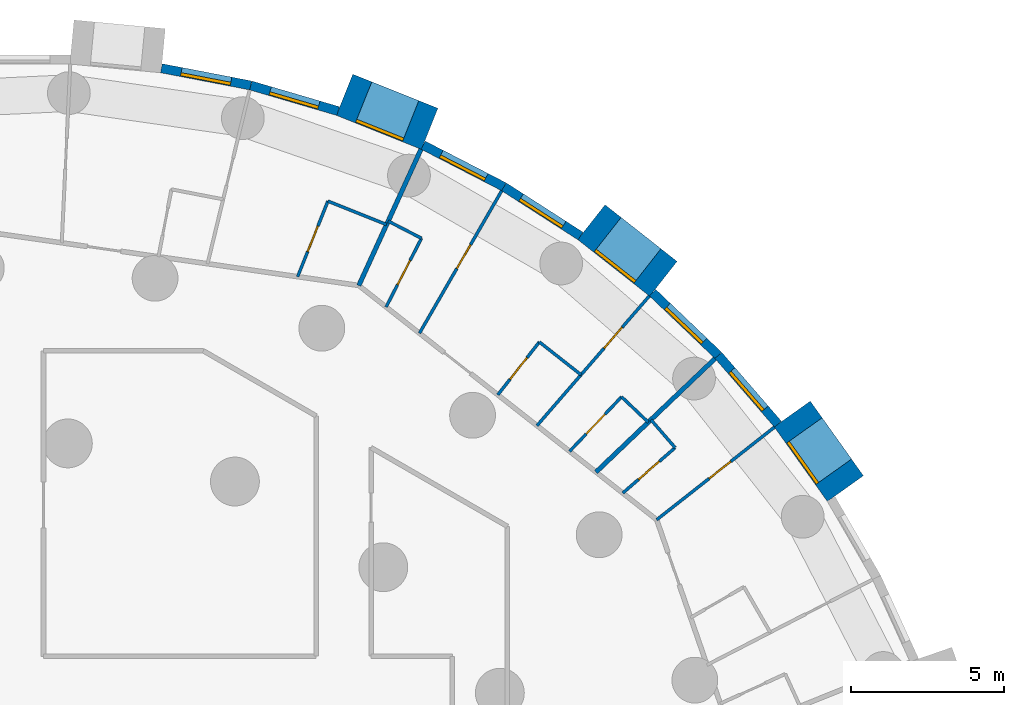
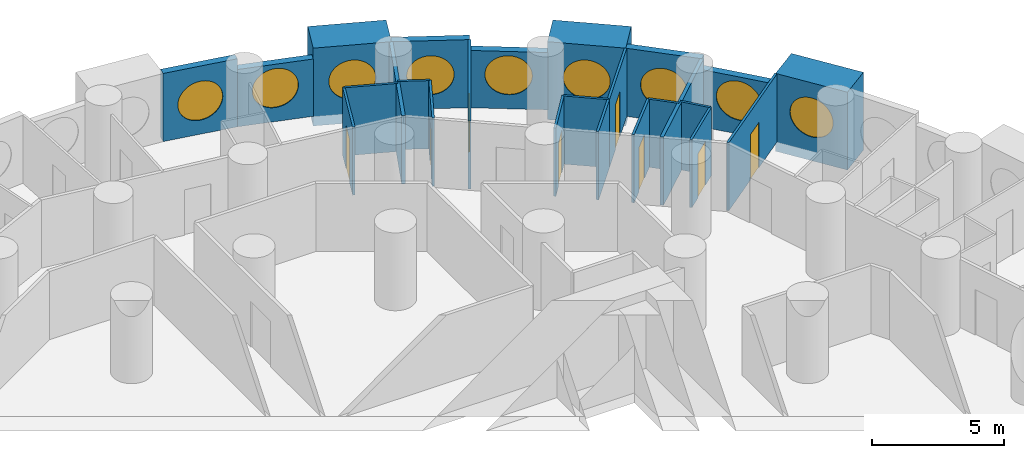
# One storey, part 10 of 12: 25 walls, 9 windows, 8 doors, 17 openings.
"""IFC4 building model written with IfcOpenShell, lengths in metres."""

import ifcopenshell
import ifcopenshell.guid

model = None  # the IFC model being written
_history = None  # IfcOwnerHistory: only IFC2X3 demands one
_inside = {}  # id of a spatial element -> (the spatial element, [elements in it])
_under = {}  # id of a project, library or spatial element -> (it, [spatial elements below it])
_declared = {}  # id of a project -> (the project, [libraries it declares])
_typed = {}  # id of a type object -> (the type object, [elements of that type])
_made_of = {}  # id of a material, layer set ... -> (it, [elements and type objects made of it])


def new_model(schema):
    """Start an empty IFC model of exactly this schema.

    Asked for "IFC4X3", IfcOpenShell would pick the latest addendum, in which some entities
    have other attributes; the version numbers below select the first issue.
    IFC2X3 requires an IfcOwnerHistory on every rooted entity: one is made here for all.
    """
    global model, _history
    if schema == "IFC4X3":
        model = ifcopenshell.file(schema_version=(4, 3, 0, 0))
    else:
        model = ifcopenshell.file(schema=schema)
    _inside.clear()
    _under.clear()
    _declared.clear()
    _typed.clear()
    _made_of.clear()
    _history = None
    if model.schema == "IFC2X3":
        org = make("IfcOrganization", Name="unknown")
        user = make(
            "IfcPersonAndOrganization",
            ThePerson=make("IfcPerson", FamilyName="unknown"),
            TheOrganization=org,
        )
        app = make(
            "IfcApplication",
            ApplicationDeveloper=org,
            Version="unknown",
            ApplicationFullName="unknown",
            ApplicationIdentifier="unknown",
        )
        _history = make(
            "IfcOwnerHistory",
            OwningUser=user,
            OwningApplication=app,
            ChangeAction="ADDED",
            CreationDate=0,
        )
    return model


def make(cls, **values):
    """One entity of the class cls with the attributes given. An attribute that is None is left unset."""
    return model.create_entity(
        cls, **{name: value for name, value in values.items() if value is not None}
    )


def rooted(cls, **values):
    """An entity with a GlobalId (a new one), such as an element, a storey or a relation."""
    return make(cls, GlobalId=ifcopenshell.guid.new(), OwnerHistory=_history, **values)


def si_unit(unit_type, name, prefix=None):
    """IfcSIUnit, for example si_unit("LENGTHUNIT", "METRE", prefix="MILLI")."""
    return make("IfcSIUnit", UnitType=unit_type, Prefix=prefix, Name=name)


def assignment(units):
    """IfcUnitAssignment: the units of a project."""
    return None if units is None else make("IfcUnitAssignment", Units=units)


def point(xyz):
    """IfcCartesianPoint."""
    return None if xyz is None else make("IfcCartesianPoint", Coordinates=xyz)


def direction(xyz):
    """IfcDirection."""
    return None if xyz is None else make("IfcDirection", DirectionRatios=xyz)


def frame(location, z_axis=None, x_axis=None):
    """IfcAxis2Placement3D, a coordinate frame: its origin and axes. An axis left out is left unset."""
    return make(
        "IfcAxis2Placement3D",
        Location=point(location),
        Axis=direction(z_axis),
        RefDirection=direction(x_axis),
    )


def frame_2d(location, x_axis=None):
    """IfcAxis2Placement2D, a coordinate frame in the plane: its origin and x axis."""
    return make(
        "IfcAxis2Placement2D", Location=point(location), RefDirection=direction(x_axis)
    )


def origin():
    """The frame at (0, 0, 0) with its axes left unset."""
    return frame((0.0, 0.0, 0.0))


def origin_2d():
    """The frame at (0, 0) in the plane with its x axis left unset."""
    return frame_2d((0.0, 0.0))


def place(relative_to, where):
    """IfcLocalPlacement: puts the frame where relative to a parent placement (None: the world)."""
    return make(
        "IfcLocalPlacement", PlacementRelTo=relative_to, RelativePlacement=where
    )


def context(
    kind, dimensions, precision=None, world=None, true_north=None, identifier=None
):
    """IfcGeometricRepresentationContext, for example the 3D "Model" context."""
    return make(
        "IfcGeometricRepresentationContext",
        ContextIdentifier=identifier,
        ContextType=kind,
        CoordinateSpaceDimension=dimensions,
        Precision=precision,
        WorldCoordinateSystem=world,
        TrueNorth=true_north,
    )


def subcontext(parent, identifier, kind, view, scale=None):
    """IfcGeometricRepresentationSubContext, for example "Body" below "Model"."""
    return make(
        "IfcGeometricRepresentationSubContext",
        ContextIdentifier=identifier,
        ContextType=kind,
        ParentContext=parent,
        TargetScale=scale,
        TargetView=view,
    )


def project(units=None, contexts=None):
    """IfcProject with its units and contexts."""
    return rooted(
        "IfcProject",
        Name="project",
        RepresentationContexts=contexts,
        UnitsInContext=assignment(units),
    )


def spatial(cls, under=None, at=None, **own):
    """A site, building, storey or space (cls), placed at a placement, below another one or the project."""
    s = rooted(cls, ObjectPlacement=at, **own)
    if under is not None:
        _under.setdefault(under.id(), (under, []))[1].append(s)
    return s


def profile(cls, at=None, kind="AREA", **sizes):
    """A parametric profile (cls). Its sizes go by their IFC names, for example OverallWidth=200.0."""
    return make(cls, ProfileType=kind, Position=at, **sizes)


def rectangle(**sizes):
    """IfcRectangleProfileDef."""
    return profile("IfcRectangleProfileDef", **sizes)


def circle(**sizes):
    """IfcCircleProfileDef."""
    return profile("IfcCircleProfileDef", **sizes)


def extrude(swept, where, along, depth):
    """IfcExtrudedAreaSolid: the profile swept, set in the frame where, extruded along a direction by depth."""
    return make(
        "IfcExtrudedAreaSolid",
        SweptArea=swept,
        Position=where,
        ExtrudedDirection=direction(along),
        Depth=depth,
    )


def shape(context_of_items, identifier, shape_type, items):
    """IfcShapeRepresentation: the items that make up one representation, for example the "Body"."""
    return make(
        "IfcShapeRepresentation",
        ContextOfItems=context_of_items,
        RepresentationIdentifier=identifier,
        RepresentationType=shape_type,
        Items=items,
    )


def material(Name=None, Category=None):
    """IfcMaterial."""
    return make("IfcMaterial", Name=Name, Category=Category)


def layer(
    of_material, thickness, ventilated=None, Name=None, Category=None, Priority=None
):
    """IfcMaterialLayer: one layer of a wall or slab, of a material (None: an air gap)."""
    return make(
        "IfcMaterialLayer",
        Material=of_material,
        LayerThickness=thickness,
        IsVentilated=ventilated,
        Name=Name,
        Category=Category,
        Priority=Priority,
    )


def layer_set(layers, Name=None):
    """IfcMaterialLayerSet."""
    return make("IfcMaterialLayerSet", MaterialLayers=layers, LayerSetName=Name)


def made_of(thing, what):
    """Note that an element or type object is made of a material, layer set ...; save() writes the relation."""
    if what is not None:
        _made_of.setdefault(what.id(), (what, []))[1].append(thing)
    return thing


def type_object(cls, material=None, **own):
    """A type object (cls), such as IfcWallType, which elements share."""
    return made_of(rooted(cls, **own), material)


def element(
    cls,
    number,
    at=None,
    inside=None,
    cuts=None,
    type_object=None,
    material=None,
    context=None,
    identifier="Body",
    shape_type=None,
    held_by="IfcProductDefinitionShape",
    body=None,
    shapes=None,
    **own,
):
    """One element of the class cls, such as IfcWall. Its Tag is "e" and its number.

    at: its placement. inside: the storey or other place that contains it. cuts: it is an
    opening in that element (IfcRelVoidsElement). A single representation is given by context,
    identifier, shape_type and body (its items); several are given by shapes. held_by: the class
    of the entity that holds the representations. save() writes the other relations.
    """
    e = rooted(cls, Tag="e%d" % number, ObjectPlacement=at, **own)
    if body is not None:
        shapes = [shape(context, identifier, shape_type, body)]
    if shapes is not None:
        e.Representation = make(held_by, Representations=shapes)
    if inside is not None:
        _inside.setdefault(inside.id(), (inside, []))[1].append(e)
    if cuts is not None:
        rooted(
            "IfcRelVoidsElement", RelatingBuildingElement=cuts, RelatedOpeningElement=e
        )
    if type_object is not None:
        _typed.setdefault(type_object.id(), (type_object, []))[1].append(e)
    return made_of(e, material)


def fill(opening, filler):
    """IfcRelFillsElement: the door or window that sits in an opening."""
    return rooted(
        "IfcRelFillsElement",
        RelatingOpeningElement=opening,
        RelatedBuildingElement=filler,
    )


def aggregate(whole, parts):
    """IfcRelAggregates: a whole, such as a stair, and the parts it consists of."""
    return rooted("IfcRelAggregates", RelatingObject=whole, RelatedObjects=parts)


def save(model, path):
    """Write the relations noted so far, then the file.

    IfcRelAggregates (storeys below a building ...), IfcRelContainedInSpatialStructure (elements
    in a storey), IfcRelDefinesByType, IfcRelAssociatesMaterial and IfcRelDeclares: one each for
    every whole, place, type object, material and project.
    """
    for whole, parts in _under.values():
        aggregate(whole, parts)
    for where, things in _inside.values():
        rooted(
            "IfcRelContainedInSpatialStructure",
            RelatedElements=things,
            RelatingStructure=where,
        )
    for kind, things in _typed.values():
        rooted("IfcRelDefinesByType", RelatedObjects=things, RelatingType=kind)
    for what, things in _made_of.values():
        rooted("IfcRelAssociatesMaterial", RelatedObjects=things, RelatingMaterial=what)
    for by, libraries in _declared.values():
        rooted("IfcRelDeclares", RelatingContext=by, RelatedDefinitions=libraries)
    model.write(path)


model = new_model("IFC4")

# Units and contexts
model_context = context("Model", 3, precision=1e-05, world=origin(), true_north=direction((0.0, 1.0)))
body_context = subcontext(model_context, "Body", "Model", "MODEL_VIEW")
ifc_project = project(units=[si_unit("LENGTHUNIT", "METRE"), si_unit("AREAUNIT", "SQUARE_METRE"), si_unit("VOLUMEUNIT", "CUBIC_METRE"), si_unit("PLANEANGLEUNIT", "RADIAN"), si_unit("MASSUNIT", "GRAM", prefix="KILO")], contexts=[model_context])

# Site, building, storey
site_placement = place(None, origin())
site = spatial("IfcSite", under=ifc_project, at=site_placement, CompositionType="ELEMENT")
building_placement = place(site_placement, origin())
building = spatial("IfcBuilding", under=site, at=building_placement, Name="Tracery Tower", CompositionType="ELEMENT")
storey_placement = place(building_placement, frame((0.0, 0.0, 42.60009765625)))
storey = spatial("IfcBuildingStorey", under=building, at=storey_placement, Name="L09", CompositionType="ELEMENT", Elevation=42.60009765625)

# Wall, opening, window
ifc_material_1 = material(Name="Precast concrete C50/60", Category="concrete")
ifc_layer_1 = layer(ifc_material_1, 1.449951171875)
ifc_layer_set_1 = layer_set([ifc_layer_1], Name="Deep-set bay unit 3000 x 3600, slab edge 450")
wall_type_1 = type_object("IfcWallType", Name="Deep-set bay unit 3000 x 3600, slab edge 450", PredefinedType="ELEMENTEDWALL", material=ifc_layer_set_1)
wall_1_placement = place(storey_placement, frame((26.866455078125, 17.2900390625, -0.4501953125), z_axis=(0.0, 0.0, 1.0), x_axis=(-0.580090570606, 0.814551981088, 0.0)))
wall_1 = element("IfcWall", 1, at=wall_1_placement, inside=storey, type_object=wall_type_1, Name="Deep-set bay unit 7 at L09", PredefinedType="ELEMENTEDWALL", context=body_context, shape_type="SweptSolid", body=[
    extrude(rectangle(XDim=3.0, YDim=1.449951171875, at=frame_2d((1.5, 0.0))), origin(), (0.0, 0.0, 1.0), 3.60009765625),
])
opening_1_placement = place(wall_1_placement, frame((1.5, 0.0, 2.0)))
opening_1 = element("IfcOpeningElement", 2, at=opening_1_placement, cuts=wall_1, Name="Opening WN1", PredefinedType="OPENING", context=body_context, shape_type="SweptSolid", body=[
    extrude(circle(Radius=0.9000244140625, at=origin_2d()), frame((0.0, 0.73486328125, 0.0), z_axis=(0.0, -1.0, 0.0), x_axis=(1.0, 0.0, 0.0)), (0.0, 0.0, 1.0), 1.469970703125),
])
ifc_material_2 = material(Name="Aluminium frame with tinted double glazing", Category="aluminium")
window_type = type_object("IfcWindowType", Name="Round window 1800", PartitioningType="SINGLE_PANEL", PredefinedType="WINDOW", material=ifc_material_2)
window_1_placement = place(opening_1_placement, origin())
window_1 = element("IfcWindow", 3, at=window_1_placement, inside=storey, type_object=window_type, Name="Round window 7 at L09", OverallHeight=1.800048828125, OverallWidth=1.800048828125, PartitioningType="SINGLE_PANEL", PredefinedType="WINDOW", context=body_context, shape_type="SweptSolid", body=[
    extrude(circle(Radius=0.9000244140625, at=origin_2d()), frame((0.0, 0.69482421875, 0.0), z_axis=(0.0, -1.0, 0.0), x_axis=(1.0, 0.0, 0.0)), (0.0, 0.0, 1.0), 0.10009765625),
])
fill(opening_1, window_1)

wall_2_placement = place(storey_placement, frame((20.906982421875, 24.15869140625, -0.4501953125), z_axis=(0.0, 0.0, 1.0), x_axis=(-0.786049992888, 0.618162930529, 0.0)))
wall_2 = element("IfcWall", 4, at=wall_2_placement, inside=storey, type_object=wall_type_1, Name="Deep-set bay unit 10 at L09", PredefinedType="ELEMENTEDWALL", context=body_context, shape_type="SweptSolid", body=[
    extrude(rectangle(XDim=3.0, YDim=1.449951171875, at=frame_2d((1.5, 0.0))), origin(), (0.0, 0.0, 1.0), 3.60009765625),
])
opening_2_placement = place(wall_2_placement, frame((1.5, 0.0, 2.0)))
opening_2 = element("IfcOpeningElement", 5, at=opening_2_placement, cuts=wall_2, Name="Opening WN1", PredefinedType="OPENING", context=body_context, shape_type="SweptSolid", body=[
    extrude(circle(Radius=0.9000244140625, at=origin_2d()), frame((0.0, 0.73486328125, 0.0), z_axis=(0.0, -1.0, 0.0), x_axis=(1.0, 0.0, 0.0)), (0.0, 0.0, 1.0), 1.469970703125),
])
window_2_placement = place(opening_2_placement, origin())
window_2 = element("IfcWindow", 6, at=window_2_placement, inside=storey, type_object=window_type, Name="Round window 10 at L09", OverallHeight=1.800048828125, OverallWidth=1.800048828125, PartitioningType="SINGLE_PANEL", PredefinedType="WINDOW", context=body_context, shape_type="SweptSolid", body=[
    extrude(circle(Radius=0.9000244140625, at=origin_2d()), frame((0.0, 0.69482421875, 0.0), z_axis=(0.0, -1.0, 0.0), x_axis=(1.0, 0.0, 0.0)), (0.0, 0.0, 1.0), 0.10009765625),
])
fill(opening_2, window_2)

wall_3_placement = place(storey_placement, frame((13.253662109375, 29.0703125, -0.4501953125), z_axis=(0.0, 0.0, 1.0), x_axis=(-0.928358776184, 0.371685327504, 0.0)))
wall_3 = element("IfcWall", 7, at=wall_3_placement, inside=storey, type_object=wall_type_1, Name="Deep-set bay unit 13 at L09", PredefinedType="ELEMENTEDWALL", context=body_context, shape_type="SweptSolid", body=[
    extrude(rectangle(XDim=2.999755859375, YDim=1.449951171875, at=frame_2d((1.5, 0.0))), origin(), (0.0, 0.0, 1.0), 3.60009765625),
])
opening_3_placement = place(wall_3_placement, frame((1.5, 0.0, 2.0)))
opening_3 = element("IfcOpeningElement", 8, at=opening_3_placement, cuts=wall_3, Name="Opening WN1", PredefinedType="OPENING", context=body_context, shape_type="SweptSolid", body=[
    extrude(circle(Radius=0.9000244140625, at=origin_2d()), frame((0.0, 0.73486328125, 0.0), z_axis=(0.0, -1.0, 0.0), x_axis=(1.0, 0.0, 0.0)), (0.0, 0.0, 1.0), 1.469970703125),
])
window_3_placement = place(opening_3_placement, origin())
window_3 = element("IfcWindow", 9, at=window_3_placement, inside=storey, type_object=window_type, Name="Round window 13 at L09", OverallHeight=1.800048828125, OverallWidth=1.800048828125, PartitioningType="SINGLE_PANEL", PredefinedType="WINDOW", context=body_context, shape_type="SweptSolid", body=[
    extrude(circle(Radius=0.9000244140625, at=origin_2d()), frame((0.0, 0.69482421875, 0.0), z_axis=(0.0, -1.0, 0.0), x_axis=(1.0, 0.0, 0.0)), (0.0, 0.0, 1.0), 0.10009765625),
])
fill(opening_3, window_3)

ifc_material_3 = material(Name="Precast concrete C50/60", Category="concrete")
ifc_layer_2 = layer(ifc_material_3, 0.300048828125)
ifc_layer_set_2 = layer_set([ifc_layer_2], Name="Facade panel 3000 x 2650")
wall_type_2 = type_object("IfcWallType", Name="Facade panel 3000 x 2650", PredefinedType="SOLIDWALL", material=ifc_layer_set_2)
wall_4_placement = place(storey_placement, frame((24.657958984375, 19.39892578125, 0.0), z_axis=(0.0, 0.0, 1.0), x_axis=(-0.654830712471, 0.755775587066, 0.0)))
wall_4 = element("IfcWall", 10, at=wall_4_placement, inside=storey, type_object=wall_type_2, Name="Facade panel 8 at L09", PredefinedType="SOLIDWALL", context=body_context, shape_type="SweptSolid", body=[
    extrude(rectangle(XDim=2.979736328125, YDim=0.300048828125, at=frame_2d((1.48974609375, 0.0))), origin(), (0.0, 0.0, 1.0), 2.64990234375),
])
opening_4_placement = place(wall_4_placement, frame((1.48974609375, 0.0, 1.5498046875)))
opening_4 = element("IfcOpeningElement", 11, at=opening_4_placement, cuts=wall_4, Name="Opening WN1", PredefinedType="OPENING", context=body_context, shape_type="SweptSolid", body=[
    extrude(circle(Radius=0.9000244140625, at=origin_2d()), frame((0.0, 0.159912109375, 0.0), z_axis=(0.0, -1.0, 0.0), x_axis=(1.0, 0.0, 0.0)), (0.0, 0.0, 1.0), 0.320068359375),
])
window_4_placement = place(opening_4_placement, origin())
window_4 = element("IfcWindow", 12, at=window_4_placement, inside=storey, type_object=window_type, Name="Round window 8 at L09", OverallHeight=1.800048828125, OverallWidth=1.800048828125, PartitioningType="SINGLE_PANEL", PredefinedType="WINDOW", context=body_context, shape_type="SweptSolid", body=[
    extrude(circle(Radius=0.9000244140625, at=origin_2d()), frame((0.0, 0.1201171875, 0.0), z_axis=(0.0, -1.0, 0.0), x_axis=(1.0, 0.0, 0.0)), (0.0, 0.0, 1.0), 0.10009765625),
])
fill(opening_4, window_4)

wall_5_placement = place(storey_placement, frame((18.19384765625, 25.56005859375, 0.0), z_axis=(0.0, 0.0, 1.0), x_axis=(-0.84122372879, 0.540687190639, 0.0)))
wall_5 = element("IfcWall", 13, at=wall_5_placement, inside=storey, type_object=wall_type_2, Name="Facade panel 11 at L09", PredefinedType="SOLIDWALL", context=body_context, shape_type="SweptSolid", body=[
    extrude(rectangle(XDim=2.979736328125, YDim=0.300048828125, at=frame_2d((1.48974609375, 0.0))), origin(), (0.0, 0.0, 1.0), 2.64990234375),
])
opening_5_placement = place(wall_5_placement, frame((1.48974609375, 0.0, 1.5498046875)))
opening_5 = element("IfcOpeningElement", 14, at=opening_5_placement, cuts=wall_5, Name="Opening WN1", PredefinedType="OPENING", context=body_context, shape_type="SweptSolid", body=[
    extrude(circle(Radius=0.9000244140625, at=origin_2d()), frame((0.0, 0.159912109375, 0.0), z_axis=(0.0, -1.0, 0.0), x_axis=(1.0, 0.0, 0.0)), (0.0, 0.0, 1.0), 0.320068359375),
])
window_5_placement = place(opening_5_placement, origin())
window_5 = element("IfcWindow", 15, at=window_5_placement, inside=storey, type_object=window_type, Name="Round window 11 at L09", OverallHeight=1.800048828125, OverallWidth=1.800048828125, PartitioningType="SINGLE_PANEL", PredefinedType="WINDOW", context=body_context, shape_type="SweptSolid", body=[
    extrude(circle(Radius=0.9000244140625, at=origin_2d()), frame((0.0, 0.1201171875, 0.0), z_axis=(0.0, -1.0, 0.0), x_axis=(1.0, 0.0, 0.0)), (0.0, 0.0, 1.0), 0.10009765625),
])
fill(opening_5, window_5)

wall_6_placement = place(storey_placement, frame((10.255859375, 29.650634765625, 0.0), z_axis=(0.0, 0.0, 1.0), x_axis=(-0.959507586834, 0.28168278401, 0.0)))
wall_6 = element("IfcWall", 16, at=wall_6_placement, inside=storey, type_object=wall_type_2, Name="Facade panel 14 at L09", PredefinedType="SOLIDWALL", context=body_context, shape_type="SweptSolid", body=[
    extrude(rectangle(XDim=2.979736328125, YDim=0.300048828125, at=frame_2d((1.48974609375, 0.0))), origin(), (0.0, 0.0, 1.0), 2.64990234375),
])
opening_6_placement = place(wall_6_placement, frame((1.48974609375, 0.0, 1.5498046875)))
opening_6 = element("IfcOpeningElement", 17, at=opening_6_placement, cuts=wall_6, Name="Opening WN1", PredefinedType="OPENING", context=body_context, shape_type="SweptSolid", body=[
    extrude(circle(Radius=0.9000244140625, at=origin_2d()), frame((0.0, 0.159912109375, 0.0), z_axis=(0.0, -1.0, 0.0), x_axis=(1.0, 0.0, 0.0)), (0.0, 0.0, 1.0), 0.320068359375),
])
window_6_placement = place(opening_6_placement, origin())
window_6 = element("IfcWindow", 18, at=window_6_placement, inside=storey, type_object=window_type, Name="Round window 14 at L09", OverallHeight=1.800048828125, OverallWidth=1.800048828125, PartitioningType="SINGLE_PANEL", PredefinedType="WINDOW", context=body_context, shape_type="SweptSolid", body=[
    extrude(circle(Radius=0.9000244140625, at=origin_2d()), frame((0.0, 0.1201171875, 0.0), z_axis=(0.0, -1.0, 0.0), x_axis=(1.0, 0.0, 0.0)), (0.0, 0.0, 1.0), 0.10009765625),
])
fill(opening_6, window_6)

ifc_material_4 = material(Name="Precast concrete C50/60", Category="concrete")
ifc_layer_3 = layer(ifc_material_4, 0.300048828125)
ifc_layer_set_3 = layer_set([ifc_layer_3], Name="Facade panel 3000 x 3150")
wall_type_3 = type_object("IfcWallType", Name="Facade panel 3000 x 3150", PredefinedType="SOLIDWALL", material=ifc_layer_set_3)
wall_7_placement = place(storey_placement, frame((22.706787109375, 21.65087890625, 0.0), z_axis=(0.0, 0.0, 1.0), x_axis=(-0.723744206617, 0.690068346896, 0.0)))
wall_7 = element("IfcWall", 19, at=wall_7_placement, inside=storey, type_object=wall_type_3, Name="Facade panel 9 at L09", PredefinedType="SOLIDWALL", context=body_context, shape_type="SweptSolid", body=[
    extrude(rectangle(XDim=2.979736328125, YDim=0.300048828125, at=frame_2d((1.48974609375, 0.0))), origin(), (0.0, 0.0, 1.0), 3.14990234375),
])
opening_7_placement = place(wall_7_placement, frame((1.48974609375, 0.0, 1.5498046875)))
opening_7 = element("IfcOpeningElement", 20, at=opening_7_placement, cuts=wall_7, Name="Opening WN1", PredefinedType="OPENING", context=body_context, shape_type="SweptSolid", body=[
    extrude(circle(Radius=0.9000244140625, at=origin_2d()), frame((0.0, 0.159912109375, 0.0), z_axis=(0.0, -1.0, 0.0), x_axis=(1.0, 0.0, 0.0)), (0.0, 0.0, 1.0), 0.320068359375),
])
window_7_placement = place(opening_7_placement, origin())
window_7 = element("IfcWindow", 21, at=window_7_placement, inside=storey, type_object=window_type, Name="Round window 9 at L09", OverallHeight=1.800048828125, OverallWidth=1.800048828125, PartitioningType="SINGLE_PANEL", PredefinedType="WINDOW", context=body_context, shape_type="SweptSolid", body=[
    extrude(circle(Radius=0.9000244140625, at=origin_2d()), frame((0.0, 0.1201171875, 0.0), z_axis=(0.0, -1.0, 0.0), x_axis=(1.0, 0.0, 0.0)), (0.0, 0.0, 1.0), 0.10009765625),
])
fill(opening_7, window_7)

wall_8_placement = place(storey_placement, frame((15.687255859375, 27.171142578125, 0.0), z_axis=(0.0, 0.0, 1.0), x_axis=(-0.888853225096, 0.4581920386, 0.0)))
wall_8 = element("IfcWall", 22, at=wall_8_placement, inside=storey, type_object=wall_type_3, Name="Facade panel 12 at L09", PredefinedType="SOLIDWALL", context=body_context, shape_type="SweptSolid", body=[
    extrude(rectangle(XDim=2.9794921875, YDim=0.300048828125, at=frame_2d((1.48974609375, 0.0))), origin(), (0.0, 0.0, 1.0), 3.14990234375),
])
opening_8_placement = place(wall_8_placement, frame((1.48974609375, 0.0, 1.5498046875)))
opening_8 = element("IfcOpeningElement", 23, at=opening_8_placement, cuts=wall_8, Name="Opening WN1", PredefinedType="OPENING", context=body_context, shape_type="SweptSolid", body=[
    extrude(circle(Radius=0.9000244140625, at=origin_2d()), frame((0.0, 0.159912109375, 0.0), z_axis=(0.0, -1.0, 0.0), x_axis=(1.0, 0.0, 0.0)), (0.0, 0.0, 1.0), 0.320068359375),
])
window_8_placement = place(opening_8_placement, origin())
window_8 = element("IfcWindow", 24, at=window_8_placement, inside=storey, type_object=window_type, Name="Round window 12 at L09", OverallHeight=1.800048828125, OverallWidth=1.800048828125, PartitioningType="SINGLE_PANEL", PredefinedType="WINDOW", context=body_context, shape_type="SweptSolid", body=[
    extrude(circle(Radius=0.9000244140625, at=origin_2d()), frame((0.0, 0.1201171875, 0.0), z_axis=(0.0, -1.0, 0.0), x_axis=(1.0, 0.0, 0.0)), (0.0, 0.0, 1.0), 0.10009765625),
])
fill(opening_8, window_8)

wall_9_placement = place(storey_placement, frame((7.396728515625, 30.489990234375, 0.0), z_axis=(0.0, 0.0, 1.0), x_axis=(-0.981924535406, 0.189272836848, 0.0)))
wall_9 = element("IfcWall", 25, at=wall_9_placement, inside=storey, type_object=wall_type_3, Name="Facade panel 15 at L09", PredefinedType="SOLIDWALL", context=body_context, shape_type="SweptSolid", body=[
    extrude(rectangle(XDim=2.979736328125, YDim=0.300048828125, at=frame_2d((1.48974609375, 0.0))), origin(), (0.0, 0.0, 1.0), 3.14990234375),
])
opening_9_placement = place(wall_9_placement, frame((1.48974609375, 0.0, 1.5498046875)))
opening_9 = element("IfcOpeningElement", 26, at=opening_9_placement, cuts=wall_9, Name="Opening WN1", PredefinedType="OPENING", context=body_context, shape_type="SweptSolid", body=[
    extrude(circle(Radius=0.9000244140625, at=origin_2d()), frame((0.0, 0.159912109375, 0.0), z_axis=(0.0, -1.0, 0.0), x_axis=(1.0, 0.0, 0.0)), (0.0, 0.0, 1.0), 0.320068359375),
])
window_9_placement = place(opening_9_placement, origin())
window_9 = element("IfcWindow", 27, at=window_9_placement, inside=storey, type_object=window_type, Name="Round window 15 at L09", OverallHeight=1.800048828125, OverallWidth=1.800048828125, PartitioningType="SINGLE_PANEL", PredefinedType="WINDOW", context=body_context, shape_type="SweptSolid", body=[
    extrude(circle(Radius=0.9000244140625, at=origin_2d()), frame((0.0, 0.1201171875, 0.0), z_axis=(0.0, -1.0, 0.0), x_axis=(1.0, 0.0, 0.0)), (0.0, 0.0, 1.0), 0.10009765625),
])
fill(opening_9, window_9)

# Wall, opening, door
ifc_material_5 = material(Name="Plasterboard on steel studs", Category="steel")
ifc_layer_4 = layer(ifc_material_5, 0.10009765625)
ifc_layer_set_4 = layer_set([ifc_layer_4], Name="Partition 100 stud")
wall_type_4 = type_object("IfcWallType", Name="Partition 100 stud", PredefinedType="PARTITIONING", material=ifc_layer_set_4)
wall_10_placement = place(storey_placement, frame((20.68798828125, 16.26904296875, 0.0), z_axis=(0.0, 0.0, 1.0), x_axis=(0.78599357822, 0.618234660139, 0.0)))
wall_10 = element("IfcWall", 28, at=wall_10_placement, inside=storey, type_object=wall_type_4, Name="Stud partition RA2-073", PredefinedType="PARTITIONING", context=body_context, shape_type="SweptSolid", body=[
    extrude(rectangle(XDim=4.90576171875, YDim=0.10009765625, at=frame_2d((2.452880859375, 0.0))), origin(), (0.0, 0.0, 1.0), 3.14990234375),
])
opening_10_placement = place(wall_10_placement, frame((2.18310546875, 0.0, 0.0)))
opening_10 = element("IfcOpeningElement", 29, at=opening_10_placement, cuts=wall_10, Name="Opening RA2-19", PredefinedType="OPENING", context=body_context, shape_type="SweptSolid", body=[
    extrude(rectangle(XDim=0.89990234375, YDim=2.10009765625, at=frame_2d((0.449951171875, 1.050048828125))), frame((0.0, 0.050048828125, 0.0), z_axis=(0.0, -1.0, 0.0), x_axis=(1.0, 0.0, 0.0)), (0.0, 0.0, 1.0), 0.10009765625),
])
ifc_material_6 = material(Name="Timber door leaf", Category="wood")
door_type_1 = type_object("IfcDoorType", Name="Door bedroom 900", OperationType="NOTDEFINED", PredefinedType="DOOR", material=ifc_material_6)
door_1_placement = place(opening_10_placement, origin())
door_1 = element("IfcDoor", 30, at=door_1_placement, inside=storey, type_object=door_type_1, Name="Bedroom door RA2-19", OperationType="SINGLE_SWING_RIGHT", OverallHeight=2.10009765625, OverallWidth=0.89990234375, PredefinedType="DOOR", context=body_context, shape_type="SweptSolid", body=[
    extrude(rectangle(XDim=0.89990234375, YDim=2.10009765625, at=frame_2d((0.449951171875, 1.050048828125))), frame((0.0, 0.02490234375, 0.0), z_axis=(0.0, -1.0, 0.0), x_axis=(1.0, 0.0, 0.0)), (0.0, 0.0, 1.0), 0.050048828125),
])
fill(opening_10, door_1)

wall_11_placement = place(storey_placement, frame((18.2099609375, 21.01611328125, 0.0), z_axis=(0.0, 0.0, 1.0), x_axis=(0.655012143666, 0.755618350525, 0.0)))
wall_11 = element("IfcWall", 31, at=wall_11_placement, inside=storey, type_object=wall_type_4, Name="Stud partition RA2-082", PredefinedType="PARTITIONING", context=body_context, shape_type="SweptSolid", body=[
    extrude(rectangle(XDim=3.416748046875, YDim=0.10009765625, at=frame_2d((1.70849609375, 0.0))), origin(), (0.0, 0.0, 1.0), 3.14990234375),
])
opening_11_placement = place(wall_11_placement, frame((1.15283203125, 0.0, 0.0)))
opening_11 = element("IfcOpeningElement", 32, at=opening_11_placement, cuts=wall_11, Name="Opening RA2-23", PredefinedType="OPENING", context=body_context, shape_type="SweptSolid", body=[
    extrude(rectangle(XDim=0.89990234375, YDim=2.10009765625, at=frame_2d((0.449951171875, 1.050048828125))), frame((0.0, 0.050048828125, 0.0), z_axis=(0.0, -1.0, 0.0), x_axis=(1.0, 0.0, 0.0)), (0.0, 0.0, 1.0), 0.10009765625),
])
door_2_placement = place(opening_11_placement, origin())
door_2 = element("IfcDoor", 33, at=door_2_placement, inside=storey, type_object=door_type_1, Name="Bedroom door RA2-23", OperationType="SINGLE_SWING_RIGHT", OverallHeight=2.10009765625, OverallWidth=0.89990234375, PredefinedType="DOOR", context=body_context, shape_type="SweptSolid", body=[
    extrude(rectangle(XDim=0.89990234375, YDim=2.10009765625, at=frame_2d((0.449951171875, 1.050048828125))), frame((0.0, 0.02490234375, 0.0), z_axis=(0.0, -1.0, 0.0), x_axis=(1.0, 0.0, 0.0)), (0.0, 0.0, 1.0), 0.050048828125),
])
fill(opening_11, door_2)

wall_12_placement = place(storey_placement, frame((12.919921875, 22.3779296875, 0.0), z_axis=(0.0, 0.0, 1.0), x_axis=(0.49998673258, 0.866033063597, 0.0)))
wall_12 = element("IfcWall", 34, at=wall_12_placement, inside=storey, type_object=wall_type_4, Name="Stud partition RA2-083", PredefinedType="PARTITIONING", context=body_context, shape_type="SweptSolid", body=[
    extrude(rectangle(XDim=5.384521484375, YDim=0.10009765625, at=frame_2d((2.6923828125, 0.0))), origin(), (0.0, 0.0, 1.0), 3.14990234375),
])
opening_12_placement = place(wall_12_placement, frame((2.446044921875, 0.0, 0.0)))
opening_12 = element("IfcOpeningElement", 35, at=opening_12_placement, cuts=wall_12, Name="Opening RA2-25", PredefinedType="OPENING", context=body_context, shape_type="SweptSolid", body=[
    extrude(rectangle(XDim=0.89990234375, YDim=2.10009765625, at=frame_2d((0.449951171875, 1.050048828125))), frame((0.0, 0.050048828125, 0.0), z_axis=(0.0, -1.0, 0.0), x_axis=(1.0, 0.0, 0.0)), (0.0, 0.0, 1.0), 0.10009765625),
])
door_3_placement = place(opening_12_placement, origin())
door_3 = element("IfcDoor", 36, at=door_3_placement, inside=storey, type_object=door_type_1, Name="Bedroom door RA2-25", OperationType="SINGLE_SWING_RIGHT", OverallHeight=2.10009765625, OverallWidth=0.89990234375, PredefinedType="DOOR", context=body_context, shape_type="SweptSolid", body=[
    extrude(rectangle(XDim=0.89990234375, YDim=2.10009765625, at=frame_2d((0.449951171875, 1.050048828125))), frame((0.0, 0.02490234375, 0.0), z_axis=(0.0, -1.0, 0.0), x_axis=(1.0, 0.0, 0.0)), (0.0, 0.0, 1.0), 0.050048828125),
])
fill(opening_12, door_3)

ifc_material_7 = material(Name="Plasterboard on steel studs", Category="steel")
ifc_layer_5 = layer(ifc_material_7, 0.10009765625)
ifc_layer_set_5 = layer_set([ifc_layer_5], Name="Partition 100 wet wall")
wall_type_5 = type_object("IfcWallType", Name="Partition 100 wet wall", PredefinedType="PARTITIONING", material=ifc_layer_set_5)
wall_13_placement = place(storey_placement, frame((19.576904296875, 17.14306640625, 0.0), z_axis=(0.0, 0.0, 1.0), x_axis=(0.755813315469, 0.654787165543, 0.0)))
wall_13 = element("IfcWall", 37, at=wall_13_placement, inside=storey, type_object=wall_type_5, Name="Wet wall RA2-077", PredefinedType="PARTITIONING", context=body_context, shape_type="SweptSolid", body=[
    extrude(rectangle(XDim=2.269287109375, YDim=0.10009765625, at=frame_2d((1.134765625, 0.0))), origin(), (0.0, 0.0, 1.0), 3.14990234375),
])
opening_13_placement = place(wall_13_placement, frame((0.68505859375, 0.0, 0.0)))
opening_13 = element("IfcOpeningElement", 38, at=opening_13_placement, cuts=wall_13, Name="Opening RA2-20", PredefinedType="OPENING", context=body_context, shape_type="SweptSolid", body=[
    extrude(rectangle(XDim=0.89990234375, YDim=2.0400390625, at=frame_2d((0.449951171875, 1.02001953125))), frame((0.0, 0.050048828125, 0.0), z_axis=(0.0, -1.0, 0.0), x_axis=(1.0, 0.0, 0.0)), (0.0, 0.0, 1.0), 0.10009765625),
])
ifc_material_8 = material(Name="Timber door leaf", Category="wood")
door_type_2 = type_object("IfcDoorType", Name="Door en-suite 900", OperationType="NOTDEFINED", PredefinedType="DOOR", material=ifc_material_8)
door_4_placement = place(opening_13_placement, origin())
door_4 = element("IfcDoor", 39, at=door_4_placement, inside=storey, type_object=door_type_2, Name="En-suite door RA2-20", OperationType="SINGLE_SWING_RIGHT", OverallHeight=2.0400390625, OverallWidth=0.89990234375, PredefinedType="DOOR", context=body_context, shape_type="SweptSolid", body=[
    extrude(rectangle(XDim=0.89990234375, YDim=2.0400390625, at=frame_2d((0.449951171875, 1.02001953125))), frame((0.0, 0.02490234375, 0.0), z_axis=(0.0, -1.0, 0.0), x_axis=(1.0, 0.0, 0.0)), (0.0, 0.0, 1.0), 0.050048828125),
])
fill(opening_13, door_4)

# Walls
wall_14_placement = place(storey_placement, frame((20.4990234375, 19.544921875, 0.0), z_axis=(0.0, 0.0, 1.0), x_axis=(0.654500819756, -0.756061291787, 0.0)))
element("IfcWall", 40, at=wall_14_placement, inside=storey, type_object=wall_type_5, Name="Wet wall RA2-078", PredefinedType="PARTITIONING", context=body_context, shape_type="SweptSolid", body=[
    extrude(rectangle(XDim=1.211669921875, YDim=0.10009765625, at=frame_2d((0.60595703125, 0.0))), origin(), (0.0, 0.0, 1.0), 3.14990234375),
])
wall_15_placement = place(storey_placement, frame((16.844970703125, 22.090087890625, 0.0), z_axis=(0.0, 0.0, 1.0), x_axis=(0.785903559082, -0.618349088964, 0.0)))
element("IfcWall", 41, at=wall_15_placement, inside=storey, type_object=wall_type_5, Name="Wet wall RA2-080", PredefinedType="PARTITIONING", context=body_context, shape_type="SweptSolid", body=[
    extrude(rectangle(XDim=1.73681640625, YDim=0.10009765625, at=frame_2d((0.868408203125, 0.0))), origin(), (0.0, 0.0, 1.0), 3.14990234375),
])

# Wall, opening, door
wall_16_placement = place(storey_placement, frame((15.485107421875, 20.361083984375, 0.0), z_axis=(0.0, 0.0, 1.0), x_axis=(0.618203810204, 0.786017842704, 0.0)))
wall_16 = element("IfcWall", 42, at=wall_16_placement, inside=storey, type_object=wall_type_5, Name="Wet wall RA2-081", PredefinedType="PARTITIONING", context=body_context, shape_type="SweptSolid", body=[
    extrude(rectangle(XDim=2.19970703125, YDim=0.10009765625, at=frame_2d((1.099853515625, 0.0))), origin(), (0.0, 0.0, 1.0), 3.14990234375),
])
opening_14_placement = place(wall_16_placement, frame((0.64990234375, 0.0, 0.0)))
opening_14 = element("IfcOpeningElement", 43, at=opening_14_placement, cuts=wall_16, Name="Opening RA2-22", PredefinedType="OPENING", context=body_context, shape_type="SweptSolid", body=[
    extrude(rectangle(XDim=0.89990234375, YDim=2.0, at=frame_2d((0.449951171875, 1.0))), frame((0.0, 0.050048828125, 0.0), z_axis=(0.0, -1.0, 0.0), x_axis=(1.0, 0.0, 0.0)), (0.0, 0.0, 1.0), 0.10009765625),
])
ifc_material_9 = material(Name="Timber door leaf", Category="wood")
door_type_3 = type_object("IfcDoorType", Name="Door shower room 900", OperationType="NOTDEFINED", PredefinedType="DOOR", material=ifc_material_9)
door_5_placement = place(opening_14_placement, origin())
door_5 = element("IfcDoor", 44, at=door_5_placement, inside=storey, type_object=door_type_3, Name="Shower room door RA2-22", OperationType="SINGLE_SWING_RIGHT", OverallHeight=2.0, OverallWidth=0.89990234375, PredefinedType="DOOR", context=body_context, shape_type="SweptSolid", body=[
    extrude(rectangle(XDim=0.89990234375, YDim=2.0, at=frame_2d((0.449951171875, 1.0))), frame((0.0, 0.02490234375, 0.0), z_axis=(0.0, -1.0, 0.0), x_axis=(1.0, 0.0, 0.0)), (0.0, 0.0, 1.0), 0.050048828125),
])
fill(opening_14, door_5)

# Walls
wall_17_placement = place(storey_placement, frame((16.76806640625, 19.35205078125, 0.0), z_axis=(0.0, 0.0, 1.0), x_axis=(0.654854551667, 0.755754931284, 0.0)))
element("IfcWall", 45, at=wall_17_placement, inside=storey, type_object=wall_type_5, Name="Wet wall RA2-084", PredefinedType="PARTITIONING", context=body_context, shape_type="SweptSolid", body=[
    extrude(rectangle(XDim=2.201904296875, YDim=0.10009765625, at=frame_2d((1.10107421875, 0.0))), origin(), (0.0, 0.0, 1.0), 3.14990234375),
])
wall_18_placement = place(storey_placement, frame((19.5380859375, 20.2939453125, 0.0), z_axis=(0.0, 0.0, 1.0), x_axis=(0.723810439605, -0.689998875013, 0.0)))
element("IfcWall", 46, at=wall_18_placement, inside=storey, type_object=wall_type_5, Name="Wet wall RA2-085", PredefinedType="PARTITIONING", context=body_context, shape_type="SweptSolid", body=[
    extrude(rectangle(XDim=1.205810546875, YDim=0.10009765625, at=frame_2d((0.60302734375, 0.0))), origin(), (0.0, 0.0, 1.0), 3.14990234375),
])

# Wall, opening, door
wall_19_placement = place(storey_placement, frame((17.8369140625, 18.510986328125, 0.0), z_axis=(0.0, 0.0, 1.0), x_axis=(0.690317861289, 0.723506220005, 0.0)))
wall_19 = element("IfcWall", 47, at=wall_19_placement, inside=storey, type_object=wall_type_5, Name="Wet wall RA2-086", PredefinedType="PARTITIONING", context=body_context, shape_type="SweptSolid", body=[
    extrude(rectangle(XDim=2.46435546875, YDim=0.10009765625, at=frame_2d((1.232177734375, 0.0))), origin(), (0.0, 0.0, 1.0), 3.14990234375),
])
opening_15_placement = place(wall_19_placement, frame((0.7822265625, 0.0, 0.0)))
opening_15 = element("IfcOpeningElement", 48, at=opening_15_placement, cuts=wall_19, Name="Opening RA2-24", PredefinedType="OPENING", context=body_context, shape_type="SweptSolid", body=[
    extrude(rectangle(XDim=0.89990234375, YDim=2.0400390625, at=frame_2d((0.449951171875, 1.02001953125))), frame((0.0, 0.050048828125, 0.0), z_axis=(0.0, -1.0, 0.0), x_axis=(1.0, 0.0, 0.0)), (0.0, 0.0, 1.0), 0.10009765625),
])
door_6_placement = place(opening_15_placement, origin())
door_6 = element("IfcDoor", 49, at=door_6_placement, inside=storey, type_object=door_type_2, Name="En-suite door RA2-24", OperationType="SINGLE_SWING_LEFT", OverallHeight=2.0400390625, OverallWidth=0.89990234375, PredefinedType="DOOR", context=body_context, shape_type="SweptSolid", body=[
    extrude(rectangle(XDim=0.89990234375, YDim=2.0400390625, at=frame_2d((0.449951171875, 1.02001953125))), frame((0.0, 0.02490234375, 0.0), z_axis=(0.0, -1.0, 0.0), x_axis=(1.0, 0.0, 0.0)), (0.0, 0.0, 1.0), 0.050048828125),
])
fill(opening_15, door_6)

wall_20_placement = place(storey_placement, frame((11.826904296875, 23.237060546875, 0.0), z_axis=(0.0, 0.0, 1.0), x_axis=(0.45814144004, 0.888879306159, 0.0)))
wall_20 = element("IfcWall", 50, at=wall_20_placement, inside=storey, type_object=wall_type_5, Name="Wet wall RA2-087", PredefinedType="PARTITIONING", context=body_context, shape_type="SweptSolid", body=[
    extrude(rectangle(XDim=2.5302734375, YDim=0.10009765625, at=frame_2d((1.26513671875, 0.0))), origin(), (0.0, 0.0, 1.0), 3.14990234375),
])
opening_16_placement = place(wall_20_placement, frame((0.81494140625, 0.0, 0.0)))
opening_16 = element("IfcOpeningElement", 51, at=opening_16_placement, cuts=wall_20, Name="Opening RA2-26", PredefinedType="OPENING", context=body_context, shape_type="SweptSolid", body=[
    extrude(rectangle(XDim=0.89990234375, YDim=2.0400390625, at=frame_2d((0.449951171875, 1.02001953125))), frame((0.0, 0.050048828125, 0.0), z_axis=(0.0, -1.0, 0.0), x_axis=(1.0, 0.0, 0.0)), (0.0, 0.0, 1.0), 0.10009765625),
])
door_7_placement = place(opening_16_placement, origin())
door_7 = element("IfcDoor", 52, at=door_7_placement, inside=storey, type_object=door_type_2, Name="En-suite door RA2-26", OperationType="SINGLE_SWING_LEFT", OverallHeight=2.0400390625, OverallWidth=0.89990234375, PredefinedType="DOOR", context=body_context, shape_type="SweptSolid", body=[
    extrude(rectangle(XDim=0.89990234375, YDim=2.0400390625, at=frame_2d((0.449951171875, 1.02001953125))), frame((0.0, 0.02490234375, 0.0), z_axis=(0.0, -1.0, 0.0), x_axis=(1.0, 0.0, 0.0)), (0.0, 0.0, 1.0), 0.050048828125),
])
fill(opening_16, door_7)

# Walls
wall_21_placement = place(storey_placement, frame((11.89599609375, 26.048095703125, 0.0), z_axis=(0.0, 0.0, 1.0), x_axis=(0.888824704595, -0.458247361697, 0.0)))
element("IfcWall", 53, at=wall_21_placement, inside=storey, type_object=wall_type_5, Name="Wet wall RA2-088", PredefinedType="PARTITIONING", context=body_context, shape_type="SweptSolid", body=[
    extrude(rectangle(XDim=1.226318359375, YDim=0.10009765625, at=frame_2d((0.61328125, 0.0))), origin(), (0.0, 0.0, 1.0), 3.14990234375),
])
wall_22_placement = place(storey_placement, frame((9.9208984375, 26.7041015625, 0.0), z_axis=(0.0, 0.0, 1.0), x_axis=(0.928346586681, -0.37171577179, 0.0)))
element("IfcWall", 54, at=wall_22_placement, inside=storey, type_object=wall_type_5, Name="Wet wall RA2-096", PredefinedType="PARTITIONING", context=body_context, shape_type="SweptSolid", body=[
    extrude(rectangle(XDim=2.071533203125, YDim=0.10009765625, at=frame_2d((1.03564453125, 0.0))), origin(), (0.0, 0.0, 1.0), 3.14990234375),
])

# Wall, opening, door
wall_23_placement = place(storey_placement, frame((8.929931640625, 24.22802734375, 0.0), z_axis=(0.0, 0.0, 1.0), x_axis=(0.371564281805, 0.928407229876, 0.0)))
wall_23 = element("IfcWall", 55, at=wall_23_placement, inside=storey, type_object=wall_type_5, Name="Wet wall RA2-097", PredefinedType="PARTITIONING", context=body_context, shape_type="SweptSolid", body=[
    extrude(rectangle(XDim=2.6669921875, YDim=0.10009765625, at=frame_2d((1.33349609375, 0.0))), origin(), (0.0, 0.0, 1.0), 3.14990234375),
])
opening_17_placement = place(wall_23_placement, frame((0.884033203125, 0.0, 0.0)))
opening_17 = element("IfcOpeningElement", 56, at=opening_17_placement, cuts=wall_23, Name="Opening RA2-31", PredefinedType="OPENING", context=body_context, shape_type="SweptSolid", body=[
    extrude(rectangle(XDim=0.89990234375, YDim=2.0400390625, at=frame_2d((0.449951171875, 1.02001953125))), frame((0.0, 0.050048828125, 0.0), z_axis=(0.0, -1.0, 0.0), x_axis=(1.0, 0.0, 0.0)), (0.0, 0.0, 1.0), 0.10009765625),
])
door_8_placement = place(opening_17_placement, origin())
door_8 = element("IfcDoor", 57, at=door_8_placement, inside=storey, type_object=door_type_2, Name="En-suite door RA2-31", OperationType="SINGLE_SWING_LEFT", OverallHeight=2.0400390625, OverallWidth=0.89990234375, PredefinedType="DOOR", context=body_context, shape_type="SweptSolid", body=[
    extrude(rectangle(XDim=0.89990234375, YDim=2.0400390625, at=frame_2d((0.449951171875, 1.02001953125))), frame((0.0, 0.02490234375, 0.0), z_axis=(0.0, -1.0, 0.0), x_axis=(1.0, 0.0, 0.0)), (0.0, 0.0, 1.0), 0.050048828125),
])
fill(opening_17, door_8)

# Walls
ifc_material_10 = material(Name="Plasterboard on steel studs", Category="steel")
ifc_layer_6 = layer(ifc_material_10, 0.14990234375)
ifc_layer_set_6 = layer_set([ifc_layer_6], Name="Partition 150 acoustic unit wall")
wall_type_6 = type_object("IfcWallType", Name="Partition 150 acoustic unit wall", PredefinedType="PARTITIONING", material=ifc_layer_set_6)
wall_24_placement = place(storey_placement, frame((18.701904296875, 17.8310546875, 0.0), z_axis=(0.0, 0.0, 1.0), x_axis=(0.723619032975, 0.690199605271, 0.0)))
element("IfcWall", 58, at=wall_24_placement, inside=storey, type_object=wall_type_6, Name="Unit wall RA2-079", PredefinedType="PARTITIONING", context=body_context, shape_type="SweptSolid", body=[
    extrude(rectangle(XDim=5.384033203125, YDim=0.14990234375, at=frame_2d((2.69189453125, 0.0))), origin(), (0.0, 0.0, 1.0), 3.14990234375),
])
wall_25_placement = place(storey_placement, frame((10.93359375, 23.939697265625, 0.0), z_axis=(0.0, 0.0, 1.0), x_axis=(0.415245800153, 0.909709253254, 0.0)))
element("IfcWall", 59, at=wall_25_placement, inside=storey, type_object=wall_type_6, Name="Unit wall RA2-089", PredefinedType="PARTITIONING", context=body_context, shape_type="SweptSolid", body=[
    extrude(rectangle(XDim=4.906494140625, YDim=0.14990234375, at=frame_2d((2.453125, 0.0))), origin(), (0.0, 0.0, 1.0), 3.14990234375),
])

save(model, "model.ifc")
